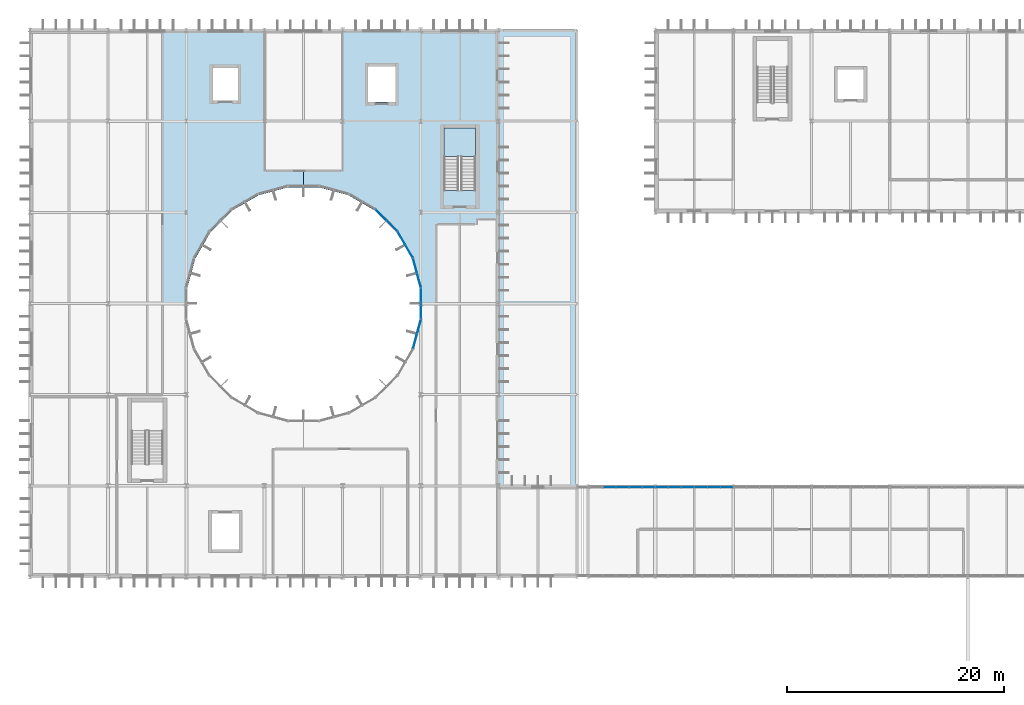
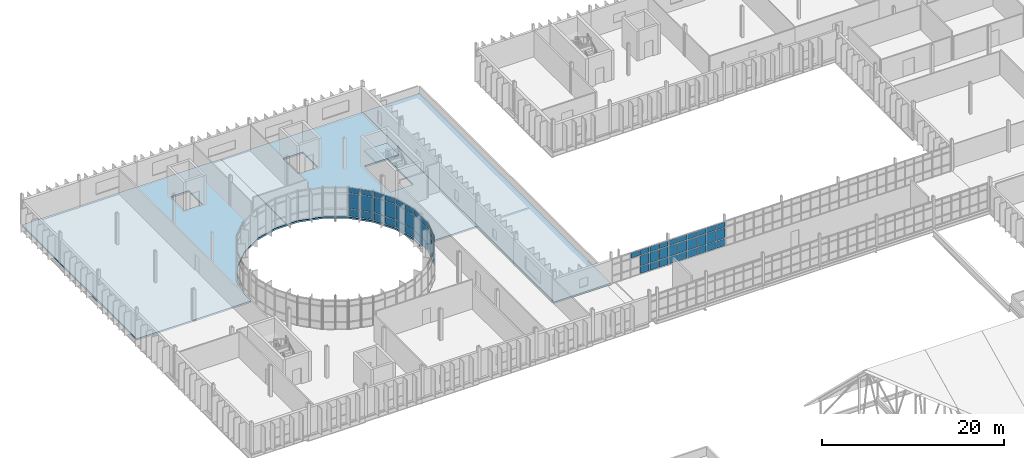
# One storey, part 62 of 99: 58 plates, 4 slabs, 8 elements without a shape of their own.
"""IFC4 building model written with IfcOpenShell, lengths in metres."""

from ifc_helpers import new_model, si_unit, direction, frame, origin, origin_2d, place, context, subcontext, project, spatial, polyline, rectangle, outline, extrude, material, layer, layer_set, type_object, element, aggregate, save


model = new_model("IFC4")

# Units and contexts
model_context = context("Model", 3, precision=1e-05, world=origin(), true_north=direction((0.0, 1.0)))
body_context = subcontext(model_context, "Body", "Model", "MODEL_VIEW")
ifc_project = project(units=[si_unit("LENGTHUNIT", "METRE"), si_unit("AREAUNIT", "SQUARE_METRE"), si_unit("VOLUMEUNIT", "CUBIC_METRE"), si_unit("PLANEANGLEUNIT", "RADIAN"), si_unit("MASSUNIT", "GRAM", prefix="KILO")], contexts=[model_context])

# Site, building, storey
site_placement = place(None, origin())
site = spatial("IfcSite", under=ifc_project, at=site_placement, CompositionType="ELEMENT")
building_placement = place(site_placement, origin())
building = spatial("IfcBuilding", under=site, at=building_placement, Name="Qelthora Terrace Specialist Clinic", CompositionType="ELEMENT")
storey_placement = place(building_placement, frame((0.0, 0.0, 9.0)))
storey = spatial("IfcBuildingStorey", under=building, at=storey_placement, Name="L02", CompositionType="ELEMENT", Elevation=9.0)

# Curtain wall, plates
ifc_material_1 = material(Name="Aluminium anodized bronze", Category="aluminium")
curtain_wall_type_1 = type_object("IfcCurtainWallType", Name="CW-CRTW-UPP", PredefinedType="NOTDEFINED", material=ifc_material_1)
curtain_wall_1_placement = place(storey_placement, origin())
curtain_wall_1 = element("IfcCurtainWall", 1, at=curtain_wall_1_placement, inside=storey, type_object=curtain_wall_type_1, Name="Curtain wall CW-CW-L02-01", PredefinedType="NOTDEFINED")
ifc_material_2 = material(Name="Low-E triple-silver insulating glass", Category="glass")
ifc_layer_1 = layer(ifc_material_2, 0.035888671875)
ifc_layer_set_1 = layer_set([ifc_layer_1], Name="Low-E triple-silver insulating glass")
plate_type = type_object("IfcPlateType", Name="CWP-IGU-36", PredefinedType="CURTAIN_PANEL", material=ifc_layer_set_1)
plate_1_placement = place(storey_placement, frame((35.841064453125, 86.12158203125, 0.0849609375), z_axis=(0.0, 0.0, 1.0), x_axis=(-0.258820730961, 0.965925374563, 0.0)))
plate_1 = element("IfcPlate", 2, at=plate_1_placement, type_object=plate_type, Name="CW-CW-L02-01 glazed panel 1", PredefinedType="CURTAIN_PANEL", context=body_context, shape_type="SweptSolid", body=[
    extrude(rectangle(XDim=1.3095703125, YDim=0.035888671875, at=origin_2d()), origin(), (0.0, 0.0, 1.0), 0.919921875),
])
plate_2_placement = place(storey_placement, frame((35.841064453125, 86.12158203125, 1.094970703125), z_axis=(0.0, 0.0, 1.0), x_axis=(-0.258820730961, 0.965925374563, 0.0)))
plate_2 = element("IfcPlate", 3, at=plate_2_placement, type_object=plate_type, Name="CW-CW-L02-01 glazed panel 2", PredefinedType="CURTAIN_PANEL", context=body_context, shape_type="SweptSolid", body=[
    extrude(rectangle(XDim=1.3095703125, YDim=0.035888671875, at=origin_2d()), origin(), (0.0, 0.0, 1.0), 2.0048828125),
])
plate_3_placement = place(storey_placement, frame((35.841064453125, 86.12158203125, 3.18994140625), z_axis=(0.0, 0.0, 1.0), x_axis=(-0.258820730961, 0.965925374563, 0.0)))
plate_3 = element("IfcPlate", 4, at=plate_3_placement, type_object=plate_type, Name="CW-CW-L02-01 glazed panel 3", PredefinedType="CURTAIN_PANEL", context=body_context, shape_type="SweptSolid", body=[
    extrude(rectangle(XDim=1.3095703125, YDim=0.035888671875, at=origin_2d()), origin(), (0.0, 0.0, 1.0), 0.669921875),
])
plate_4_placement = place(storey_placement, frame((35.476318359375, 87.483154296875, 0.0849609375), z_axis=(0.0, 0.0, 1.0), x_axis=(-0.258820730961, 0.965925374563, 0.0)))
plate_4 = element("IfcPlate", 5, at=plate_4_placement, type_object=plate_type, Name="CW-CW-L02-01 glazed panel 4", PredefinedType="CURTAIN_PANEL", context=body_context, shape_type="SweptSolid", body=[
    extrude(rectangle(XDim=1.3095703125, YDim=0.035888671875, at=origin_2d()), origin(), (0.0, 0.0, 1.0), 0.919921875),
])
plate_5_placement = place(storey_placement, frame((35.476318359375, 87.483154296875, 1.094970703125), z_axis=(0.0, 0.0, 1.0), x_axis=(-0.258820730961, 0.965925374563, 0.0)))
plate_5 = element("IfcPlate", 6, at=plate_5_placement, type_object=plate_type, Name="CW-CW-L02-01 glazed panel 5", PredefinedType="CURTAIN_PANEL", context=body_context, shape_type="SweptSolid", body=[
    extrude(rectangle(XDim=1.3095703125, YDim=0.035888671875, at=origin_2d()), origin(), (0.0, 0.0, 1.0), 2.0048828125),
])
plate_6_placement = place(storey_placement, frame((35.476318359375, 87.483154296875, 3.18994140625), z_axis=(0.0, 0.0, 1.0), x_axis=(-0.258820730961, 0.965925374563, 0.0)))
plate_6 = element("IfcPlate", 7, at=plate_6_placement, type_object=plate_type, Name="CW-CW-L02-01 glazed panel 6", PredefinedType="CURTAIN_PANEL", context=body_context, shape_type="SweptSolid", body=[
    extrude(rectangle(XDim=1.3095703125, YDim=0.035888671875, at=origin_2d()), origin(), (0.0, 0.0, 1.0), 0.669921875),
])
aggregate(curtain_wall_1, [plate_1, plate_2, plate_3, plate_4, plate_5, plate_6])

curtain_wall_2_placement = place(storey_placement, origin())
curtain_wall_2 = element("IfcCurtainWall", 8, at=curtain_wall_2_placement, inside=storey, type_object=curtain_wall_type_1, Name="Curtain wall CW-CW-L02-02", PredefinedType="NOTDEFINED")
plate_7_placement = place(storey_placement, frame((34.929443359375, 88.803466796875, 0.0849609375), z_axis=(0.0, 0.0, 1.0), x_axis=(-0.5, 0.866025403784, 0.0)))
plate_7 = element("IfcPlate", 9, at=plate_7_placement, type_object=plate_type, Name="CW-CW-L02-02 glazed panel 1", PredefinedType="CURTAIN_PANEL", context=body_context, shape_type="SweptSolid", body=[
    extrude(rectangle(XDim=1.3095703125, YDim=0.035888671875, at=origin_2d()), origin(), (0.0, 0.0, 1.0), 0.919921875),
])
plate_8_placement = place(storey_placement, frame((34.929443359375, 88.803466796875, 1.094970703125), z_axis=(0.0, 0.0, 1.0), x_axis=(-0.5, 0.866025403784, 0.0)))
plate_8 = element("IfcPlate", 10, at=plate_8_placement, type_object=plate_type, Name="CW-CW-L02-02 glazed panel 2", PredefinedType="CURTAIN_PANEL", context=body_context, shape_type="SweptSolid", body=[
    extrude(rectangle(XDim=1.3095703125, YDim=0.035888671875, at=origin_2d()), origin(), (0.0, 0.0, 1.0), 2.0048828125),
])
plate_9_placement = place(storey_placement, frame((34.929443359375, 88.803466796875, 3.18994140625), z_axis=(0.0, 0.0, 1.0), x_axis=(-0.5, 0.866025403784, 0.0)))
plate_9 = element("IfcPlate", 11, at=plate_9_placement, type_object=plate_type, Name="CW-CW-L02-02 glazed panel 3", PredefinedType="CURTAIN_PANEL", context=body_context, shape_type="SweptSolid", body=[
    extrude(rectangle(XDim=1.3095703125, YDim=0.035888671875, at=origin_2d()), origin(), (0.0, 0.0, 1.0), 0.669921875),
])
plate_10_placement = place(storey_placement, frame((34.224609375, 90.024169921875, 0.0849609375), z_axis=(0.0, 0.0, 1.0), x_axis=(-0.5, 0.866025403784, 0.0)))
plate_10 = element("IfcPlate", 12, at=plate_10_placement, type_object=plate_type, Name="CW-CW-L02-02 glazed panel 4", PredefinedType="CURTAIN_PANEL", context=body_context, shape_type="SweptSolid", body=[
    extrude(rectangle(XDim=1.3095703125, YDim=0.035888671875, at=origin_2d()), origin(), (0.0, 0.0, 1.0), 0.919921875),
])
plate_11_placement = place(storey_placement, frame((34.224609375, 90.024169921875, 1.094970703125), z_axis=(0.0, 0.0, 1.0), x_axis=(-0.5, 0.866025403784, 0.0)))
plate_11 = element("IfcPlate", 13, at=plate_11_placement, type_object=plate_type, Name="CW-CW-L02-02 glazed panel 5", PredefinedType="CURTAIN_PANEL", context=body_context, shape_type="SweptSolid", body=[
    extrude(rectangle(XDim=1.3095703125, YDim=0.035888671875, at=origin_2d()), origin(), (0.0, 0.0, 1.0), 2.0048828125),
])
plate_12_placement = place(storey_placement, frame((34.224609375, 90.024169921875, 3.18994140625), z_axis=(0.0, 0.0, 1.0), x_axis=(-0.5, 0.866025403784, 0.0)))
plate_12 = element("IfcPlate", 14, at=plate_12_placement, type_object=plate_type, Name="CW-CW-L02-02 glazed panel 6", PredefinedType="CURTAIN_PANEL", context=body_context, shape_type="SweptSolid", body=[
    extrude(rectangle(XDim=1.3095703125, YDim=0.035888671875, at=origin_2d()), origin(), (0.0, 0.0, 1.0), 0.669921875),
])
aggregate(curtain_wall_2, [plate_7, plate_8, plate_9, plate_10, plate_11, plate_12])

curtain_wall_3_placement = place(storey_placement, origin())
curtain_wall_3 = element("IfcCurtainWall", 15, at=curtain_wall_3_placement, inside=storey, type_object=curtain_wall_type_1, Name="Curtain wall CW-CW-L02-03", PredefinedType="NOTDEFINED")
plate_13_placement = place(storey_placement, frame((33.354736328125, 91.157958984375, 0.0849609375), z_axis=(0.0, 0.0, 1.0), x_axis=(-0.707106781187, 0.707106781187, 0.0)))
plate_13 = element("IfcPlate", 16, at=plate_13_placement, type_object=plate_type, Name="CW-CW-L02-03 glazed panel 1", PredefinedType="CURTAIN_PANEL", context=body_context, shape_type="SweptSolid", body=[
    extrude(rectangle(XDim=1.3095703125, YDim=0.035888671875, at=origin_2d()), origin(), (0.0, 0.0, 1.0), 0.919921875),
])
plate_14_placement = place(storey_placement, frame((33.354736328125, 91.157958984375, 1.094970703125), z_axis=(0.0, 0.0, 1.0), x_axis=(-0.707106781187, 0.707106781187, 0.0)))
plate_14 = element("IfcPlate", 17, at=plate_14_placement, type_object=plate_type, Name="CW-CW-L02-03 glazed panel 2", PredefinedType="CURTAIN_PANEL", context=body_context, shape_type="SweptSolid", body=[
    extrude(rectangle(XDim=1.3095703125, YDim=0.035888671875, at=origin_2d()), origin(), (0.0, 0.0, 1.0), 2.0048828125),
])
plate_15_placement = place(storey_placement, frame((33.354736328125, 91.157958984375, 3.18994140625), z_axis=(0.0, 0.0, 1.0), x_axis=(-0.707106781187, 0.707106781187, 0.0)))
plate_15 = element("IfcPlate", 18, at=plate_15_placement, type_object=plate_type, Name="CW-CW-L02-03 glazed panel 3", PredefinedType="CURTAIN_PANEL", context=body_context, shape_type="SweptSolid", body=[
    extrude(rectangle(XDim=1.3095703125, YDim=0.035888671875, at=origin_2d()), origin(), (0.0, 0.0, 1.0), 0.669921875),
])
plate_16_placement = place(storey_placement, frame((32.35791015625, 92.15478515625, 0.0849609375), z_axis=(0.0, 0.0, 1.0), x_axis=(-0.707106781187, 0.707106781187, 0.0)))
plate_16 = element("IfcPlate", 19, at=plate_16_placement, type_object=plate_type, Name="CW-CW-L02-03 glazed panel 4", PredefinedType="CURTAIN_PANEL", context=body_context, shape_type="SweptSolid", body=[
    extrude(rectangle(XDim=1.3095703125, YDim=0.035888671875, at=origin_2d()), origin(), (0.0, 0.0, 1.0), 0.919921875),
])
plate_17_placement = place(storey_placement, frame((32.35791015625, 92.15478515625, 1.094970703125), z_axis=(0.0, 0.0, 1.0), x_axis=(-0.707106781187, 0.707106781187, 0.0)))
plate_17 = element("IfcPlate", 20, at=plate_17_placement, type_object=plate_type, Name="CW-CW-L02-03 glazed panel 5", PredefinedType="CURTAIN_PANEL", context=body_context, shape_type="SweptSolid", body=[
    extrude(rectangle(XDim=1.3095703125, YDim=0.035888671875, at=origin_2d()), origin(), (0.0, 0.0, 1.0), 2.0048828125),
])
plate_18_placement = place(storey_placement, frame((32.35791015625, 92.15478515625, 3.18994140625), z_axis=(0.0, 0.0, 1.0), x_axis=(-0.707106781187, 0.707106781187, 0.0)))
plate_18 = element("IfcPlate", 21, at=plate_18_placement, type_object=plate_type, Name="CW-CW-L02-03 glazed panel 6", PredefinedType="CURTAIN_PANEL", context=body_context, shape_type="SweptSolid", body=[
    extrude(rectangle(XDim=1.3095703125, YDim=0.035888671875, at=origin_2d()), origin(), (0.0, 0.0, 1.0), 0.669921875),
])
aggregate(curtain_wall_3, [plate_13, plate_14, plate_15, plate_16, plate_17, plate_18])

curtain_wall_4_placement = place(storey_placement, origin())
curtain_wall_4 = element("IfcCurtainWall", 22, at=curtain_wall_4_placement, inside=storey, type_object=curtain_wall_type_1, Name="Curtain wall CW-CW-L02-23", PredefinedType="NOTDEFINED")
plate_19_placement = place(storey_placement, frame((35.476318359375, 80.516845703125, 0.0849609375), z_axis=(0.0, 0.0, 1.0), x_axis=(0.258820730961, 0.965925374563, 0.0)))
plate_19 = element("IfcPlate", 23, at=plate_19_placement, type_object=plate_type, Name="CW-CW-L02-23 glazed panel 1", PredefinedType="CURTAIN_PANEL", context=body_context, shape_type="SweptSolid", body=[
    extrude(rectangle(XDim=1.3095703125, YDim=0.035888671875, at=origin_2d()), origin(), (0.0, 0.0, 1.0), 0.919921875),
])
plate_20_placement = place(storey_placement, frame((35.476318359375, 80.516845703125, 1.094970703125), z_axis=(0.0, 0.0, 1.0), x_axis=(0.258820730961, 0.965925374563, 0.0)))
plate_20 = element("IfcPlate", 24, at=plate_20_placement, type_object=plate_type, Name="CW-CW-L02-23 glazed panel 2", PredefinedType="CURTAIN_PANEL", context=body_context, shape_type="SweptSolid", body=[
    extrude(rectangle(XDim=1.3095703125, YDim=0.035888671875, at=origin_2d()), origin(), (0.0, 0.0, 1.0), 2.0048828125),
])
plate_21_placement = place(storey_placement, frame((35.476318359375, 80.516845703125, 3.18994140625), z_axis=(0.0, 0.0, 1.0), x_axis=(0.258820730961, 0.965925374563, 0.0)))
plate_21 = element("IfcPlate", 25, at=plate_21_placement, type_object=plate_type, Name="CW-CW-L02-23 glazed panel 3", PredefinedType="CURTAIN_PANEL", context=body_context, shape_type="SweptSolid", body=[
    extrude(rectangle(XDim=1.3095703125, YDim=0.035888671875, at=origin_2d()), origin(), (0.0, 0.0, 1.0), 0.669921875),
])
plate_22_placement = place(storey_placement, frame((35.841064453125, 81.87841796875, 0.0849609375), z_axis=(0.0, 0.0, 1.0), x_axis=(0.258820730961, 0.965925374563, 0.0)))
plate_22 = element("IfcPlate", 26, at=plate_22_placement, type_object=plate_type, Name="CW-CW-L02-23 glazed panel 4", PredefinedType="CURTAIN_PANEL", context=body_context, shape_type="SweptSolid", body=[
    extrude(rectangle(XDim=1.3095703125, YDim=0.035888671875, at=origin_2d()), origin(), (0.0, 0.0, 1.0), 0.919921875),
])
plate_23_placement = place(storey_placement, frame((35.841064453125, 81.87841796875, 1.094970703125), z_axis=(0.0, 0.0, 1.0), x_axis=(0.258820730961, 0.965925374563, 0.0)))
plate_23 = element("IfcPlate", 27, at=plate_23_placement, type_object=plate_type, Name="CW-CW-L02-23 glazed panel 5", PredefinedType="CURTAIN_PANEL", context=body_context, shape_type="SweptSolid", body=[
    extrude(rectangle(XDim=1.3095703125, YDim=0.035888671875, at=origin_2d()), origin(), (0.0, 0.0, 1.0), 2.0048828125),
])
plate_24_placement = place(storey_placement, frame((35.841064453125, 81.87841796875, 3.18994140625), z_axis=(0.0, 0.0, 1.0), x_axis=(0.258820730961, 0.965925374563, 0.0)))
plate_24 = element("IfcPlate", 28, at=plate_24_placement, type_object=plate_type, Name="CW-CW-L02-23 glazed panel 6", PredefinedType="CURTAIN_PANEL", context=body_context, shape_type="SweptSolid", body=[
    extrude(rectangle(XDim=1.3095703125, YDim=0.035888671875, at=origin_2d()), origin(), (0.0, 0.0, 1.0), 0.669921875),
])
aggregate(curtain_wall_4, [plate_19, plate_20, plate_21, plate_22, plate_23, plate_24])

curtain_wall_5_placement = place(storey_placement, origin())
curtain_wall_5 = element("IfcCurtainWall", 29, at=curtain_wall_5_placement, inside=storey, type_object=curtain_wall_type_1, Name="Curtain wall CW-CW-L02-24", PredefinedType="NOTDEFINED")
plate_25_placement = place(storey_placement, frame((36.027587890625, 83.295166015625, 0.0849609375), z_axis=(0.0, 0.0, 1.0), x_axis=(0.0, 1.0, 0.0)))
plate_25 = element("IfcPlate", 30, at=plate_25_placement, type_object=plate_type, Name="CW-CW-L02-24 glazed panel 1", PredefinedType="CURTAIN_PANEL", context=body_context, shape_type="SweptSolid", body=[
    extrude(rectangle(XDim=1.3095703125, YDim=0.035888671875, at=origin_2d()), origin(), (0.0, 0.0, 1.0), 0.919921875),
])
plate_26_placement = place(storey_placement, frame((36.027587890625, 83.295166015625, 1.094970703125), z_axis=(0.0, 0.0, 1.0), x_axis=(0.0, 1.0, 0.0)))
plate_26 = element("IfcPlate", 31, at=plate_26_placement, type_object=plate_type, Name="CW-CW-L02-24 glazed panel 2", PredefinedType="CURTAIN_PANEL", context=body_context, shape_type="SweptSolid", body=[
    extrude(rectangle(XDim=1.3095703125, YDim=0.035888671875, at=origin_2d()), origin(), (0.0, 0.0, 1.0), 2.0048828125),
])
plate_27_placement = place(storey_placement, frame((36.027587890625, 83.295166015625, 3.18994140625), z_axis=(0.0, 0.0, 1.0), x_axis=(0.0, 1.0, 0.0)))
plate_27 = element("IfcPlate", 32, at=plate_27_placement, type_object=plate_type, Name="CW-CW-L02-24 glazed panel 3", PredefinedType="CURTAIN_PANEL", context=body_context, shape_type="SweptSolid", body=[
    extrude(rectangle(XDim=1.3095703125, YDim=0.035888671875, at=origin_2d()), origin(), (0.0, 0.0, 1.0), 0.669921875),
])
plate_28_placement = place(storey_placement, frame((36.027587890625, 84.704833984375, 0.0849609375), z_axis=(0.0, 0.0, 1.0), x_axis=(0.0, 1.0, 0.0)))
plate_28 = element("IfcPlate", 33, at=plate_28_placement, type_object=plate_type, Name="CW-CW-L02-24 glazed panel 4", PredefinedType="CURTAIN_PANEL", context=body_context, shape_type="SweptSolid", body=[
    extrude(rectangle(XDim=1.3095703125, YDim=0.035888671875, at=origin_2d()), origin(), (0.0, 0.0, 1.0), 0.919921875),
])
plate_29_placement = place(storey_placement, frame((36.027587890625, 84.704833984375, 1.094970703125), z_axis=(0.0, 0.0, 1.0), x_axis=(0.0, 1.0, 0.0)))
plate_29 = element("IfcPlate", 34, at=plate_29_placement, type_object=plate_type, Name="CW-CW-L02-24 glazed panel 5", PredefinedType="CURTAIN_PANEL", context=body_context, shape_type="SweptSolid", body=[
    extrude(rectangle(XDim=1.3095703125, YDim=0.035888671875, at=origin_2d()), origin(), (0.0, 0.0, 1.0), 2.0048828125),
])
plate_30_placement = place(storey_placement, frame((36.027587890625, 84.704833984375, 3.18994140625), z_axis=(0.0, 0.0, 1.0), x_axis=(0.0, 1.0, 0.0)))
plate_30 = element("IfcPlate", 35, at=plate_30_placement, type_object=plate_type, Name="CW-CW-L02-24 glazed panel 6", PredefinedType="CURTAIN_PANEL", context=body_context, shape_type="SweptSolid", body=[
    extrude(rectangle(XDim=1.3095703125, YDim=0.035888671875, at=origin_2d()), origin(), (0.0, 0.0, 1.0), 0.669921875),
])
aggregate(curtain_wall_5, [plate_25, plate_26, plate_27, plate_28, plate_29, plate_30])

curtain_wall_type_2 = type_object("IfcCurtainWallType", Name="CW-BRG-L02", PredefinedType="NOTDEFINED", material=ifc_material_1)
curtain_wall_6_placement = place(storey_placement, origin())
curtain_wall_6 = element("IfcCurtainWall", 36, at=curtain_wall_6_placement, inside=storey, type_object=curtain_wall_type_2, Name="Curtain wall CW-L02-256", PredefinedType="NOTDEFINED")
plate_31_placement = place(storey_placement, frame((53.39990234375, 67.080078125, 2.570068359375), z_axis=(0.0, 0.0, 1.0), x_axis=(1.0, 0.0, 0.0)))
plate_31 = element("IfcPlate", 37, at=plate_31_placement, type_object=plate_type, Name="CW-L02-256 glazed panel 9", PredefinedType="CURTAIN_PANEL", context=body_context, shape_type="SweptSolid", body=[
    extrude(rectangle(XDim=1.10009765625, YDim=0.035888671875, at=origin_2d()), origin(), (0.0, 0.0, 1.0), 0.669921875),
])
plate_32_placement = place(storey_placement, frame((54.60009765625, 67.080078125, 0.0849609375), z_axis=(0.0, 0.0, 1.0), x_axis=(1.0, 0.0, 0.0)))
plate_32 = element("IfcPlate", 38, at=plate_32_placement, type_object=plate_type, Name="CW-L02-256 glazed panel 10", PredefinedType="CURTAIN_PANEL", context=body_context, shape_type="SweptSolid", body=[
    extrude(rectangle(XDim=1.10009765625, YDim=0.035888671875, at=origin_2d()), origin(), (0.0, 0.0, 1.0), 0.919921875),
])
plate_33_placement = place(storey_placement, frame((54.60009765625, 67.080078125, 1.09521484375), z_axis=(0.0, 0.0, 1.0), x_axis=(1.0, 0.0, 0.0)))
plate_33 = element("IfcPlate", 39, at=plate_33_placement, type_object=plate_type, Name="CW-L02-256 glazed panel 11", PredefinedType="CURTAIN_PANEL", context=body_context, shape_type="SweptSolid", body=[
    extrude(rectangle(XDim=1.10009765625, YDim=0.035888671875, at=origin_2d()), origin(), (0.0, 0.0, 1.0), 1.385009765625),
])
plate_34_placement = place(storey_placement, frame((54.60009765625, 67.080078125, 2.570068359375), z_axis=(0.0, 0.0, 1.0), x_axis=(1.0, 0.0, 0.0)))
plate_34 = element("IfcPlate", 40, at=plate_34_placement, type_object=plate_type, Name="CW-L02-256 glazed panel 12", PredefinedType="CURTAIN_PANEL", context=body_context, shape_type="SweptSolid", body=[
    extrude(rectangle(XDim=1.10009765625, YDim=0.035888671875, at=origin_2d()), origin(), (0.0, 0.0, 1.0), 0.669921875),
])
plate_35_placement = place(storey_placement, frame((55.800048828125, 67.080078125, 0.0849609375), z_axis=(0.0, 0.0, 1.0), x_axis=(1.0, 0.0, 0.0)))
plate_35 = element("IfcPlate", 41, at=plate_35_placement, type_object=plate_type, Name="CW-L02-256 glazed panel 13", PredefinedType="CURTAIN_PANEL", context=body_context, shape_type="SweptSolid", body=[
    extrude(rectangle(XDim=1.10009765625, YDim=0.035888671875, at=origin_2d()), origin(), (0.0, 0.0, 1.0), 0.919921875),
])
plate_36_placement = place(storey_placement, frame((55.800048828125, 67.080078125, 1.09521484375), z_axis=(0.0, 0.0, 1.0), x_axis=(1.0, 0.0, 0.0)))
plate_36 = element("IfcPlate", 42, at=plate_36_placement, type_object=plate_type, Name="CW-L02-256 glazed panel 14", PredefinedType="CURTAIN_PANEL", context=body_context, shape_type="SweptSolid", body=[
    extrude(rectangle(XDim=1.10009765625, YDim=0.035888671875, at=origin_2d()), origin(), (0.0, 0.0, 1.0), 1.385009765625),
])
plate_37_placement = place(storey_placement, frame((55.800048828125, 67.080078125, 2.570068359375), z_axis=(0.0, 0.0, 1.0), x_axis=(1.0, 0.0, 0.0)))
plate_37 = element("IfcPlate", 43, at=plate_37_placement, type_object=plate_type, Name="CW-L02-256 glazed panel 15", PredefinedType="CURTAIN_PANEL", context=body_context, shape_type="SweptSolid", body=[
    extrude(rectangle(XDim=1.10009765625, YDim=0.035888671875, at=origin_2d()), origin(), (0.0, 0.0, 1.0), 0.669921875),
])
plate_38_placement = place(storey_placement, frame((57.0, 67.080078125, 0.0849609375), z_axis=(0.0, 0.0, 1.0), x_axis=(1.0, 0.0, 0.0)))
plate_38 = element("IfcPlate", 44, at=plate_38_placement, type_object=plate_type, Name="CW-L02-256 glazed panel 16", PredefinedType="CURTAIN_PANEL", context=body_context, shape_type="SweptSolid", body=[
    extrude(rectangle(XDim=1.10009765625, YDim=0.035888671875, at=origin_2d()), origin(), (0.0, 0.0, 1.0), 0.919921875),
])
plate_39_placement = place(storey_placement, frame((57.0, 67.080078125, 1.09521484375), z_axis=(0.0, 0.0, 1.0), x_axis=(1.0, 0.0, 0.0)))
plate_39 = element("IfcPlate", 45, at=plate_39_placement, type_object=plate_type, Name="CW-L02-256 glazed panel 17", PredefinedType="CURTAIN_PANEL", context=body_context, shape_type="SweptSolid", body=[
    extrude(rectangle(XDim=1.10009765625, YDim=0.035888671875, at=origin_2d()), origin(), (0.0, 0.0, 1.0), 1.385009765625),
])
plate_40_placement = place(storey_placement, frame((57.0, 67.080078125, 2.570068359375), z_axis=(0.0, 0.0, 1.0), x_axis=(1.0, 0.0, 0.0)))
plate_40 = element("IfcPlate", 46, at=plate_40_placement, type_object=plate_type, Name="CW-L02-256 glazed panel 18", PredefinedType="CURTAIN_PANEL", context=body_context, shape_type="SweptSolid", body=[
    extrude(rectangle(XDim=1.10009765625, YDim=0.035888671875, at=origin_2d()), origin(), (0.0, 0.0, 1.0), 0.669921875),
])
aggregate(curtain_wall_6, [plate_31, plate_32, plate_33, plate_34, plate_35, plate_36, plate_37, plate_38, plate_39, plate_40])

curtain_wall_7_placement = place(storey_placement, origin())
curtain_wall_7 = element("IfcCurtainWall", 47, at=curtain_wall_7_placement, inside=storey, type_object=curtain_wall_type_2, Name="Curtain wall CW-L02-257", PredefinedType="NOTDEFINED")
plate_41_placement = place(storey_placement, frame((58.199951171875, 67.080078125, 0.0849609375), z_axis=(0.0, 0.0, 1.0), x_axis=(1.0, 0.0, 0.0)))
plate_41 = element("IfcPlate", 48, at=plate_41_placement, type_object=plate_type, Name="CW-L02-257 glazed panel 1", PredefinedType="CURTAIN_PANEL", context=body_context, shape_type="SweptSolid", body=[
    extrude(rectangle(XDim=1.10009765625, YDim=0.035888671875, at=origin_2d()), origin(), (0.0, 0.0, 1.0), 0.919921875),
])
plate_42_placement = place(storey_placement, frame((58.199951171875, 67.080078125, 1.09521484375), z_axis=(0.0, 0.0, 1.0), x_axis=(1.0, 0.0, 0.0)))
plate_42 = element("IfcPlate", 49, at=plate_42_placement, type_object=plate_type, Name="CW-L02-257 glazed panel 2", PredefinedType="CURTAIN_PANEL", context=body_context, shape_type="SweptSolid", body=[
    extrude(rectangle(XDim=1.10009765625, YDim=0.035888671875, at=origin_2d()), origin(), (0.0, 0.0, 1.0), 1.389892578125),
])
plate_43_placement = place(storey_placement, frame((58.199951171875, 67.080078125, 2.574951171875), z_axis=(0.0, 0.0, 1.0), x_axis=(1.0, 0.0, 0.0)))
plate_43 = element("IfcPlate", 50, at=plate_43_placement, type_object=plate_type, Name="CW-L02-257 glazed panel 3", PredefinedType="CURTAIN_PANEL", context=body_context, shape_type="SweptSolid", body=[
    extrude(rectangle(XDim=1.10009765625, YDim=0.035888671875, at=origin_2d()), origin(), (0.0, 0.0, 1.0), 0.669921875),
])
plate_44_placement = place(storey_placement, frame((59.39990234375, 67.080078125, 0.0849609375), z_axis=(0.0, 0.0, 1.0), x_axis=(1.0, 0.0, 0.0)))
plate_44 = element("IfcPlate", 51, at=plate_44_placement, type_object=plate_type, Name="CW-L02-257 glazed panel 4", PredefinedType="CURTAIN_PANEL", context=body_context, shape_type="SweptSolid", body=[
    extrude(rectangle(XDim=1.10009765625, YDim=0.035888671875, at=origin_2d()), origin(), (0.0, 0.0, 1.0), 0.919921875),
])
plate_45_placement = place(storey_placement, frame((59.39990234375, 67.080078125, 1.09521484375), z_axis=(0.0, 0.0, 1.0), x_axis=(1.0, 0.0, 0.0)))
plate_45 = element("IfcPlate", 52, at=plate_45_placement, type_object=plate_type, Name="CW-L02-257 glazed panel 5", PredefinedType="CURTAIN_PANEL", context=body_context, shape_type="SweptSolid", body=[
    extrude(rectangle(XDim=1.10009765625, YDim=0.035888671875, at=origin_2d()), origin(), (0.0, 0.0, 1.0), 1.389892578125),
])
plate_46_placement = place(storey_placement, frame((59.39990234375, 67.080078125, 2.574951171875), z_axis=(0.0, 0.0, 1.0), x_axis=(1.0, 0.0, 0.0)))
plate_46 = element("IfcPlate", 53, at=plate_46_placement, type_object=plate_type, Name="CW-L02-257 glazed panel 6", PredefinedType="CURTAIN_PANEL", context=body_context, shape_type="SweptSolid", body=[
    extrude(rectangle(XDim=1.10009765625, YDim=0.035888671875, at=origin_2d()), origin(), (0.0, 0.0, 1.0), 0.669921875),
])
plate_47_placement = place(storey_placement, frame((60.60009765625, 67.080078125, 0.0849609375), z_axis=(0.0, 0.0, 1.0), x_axis=(1.0, 0.0, 0.0)))
plate_47 = element("IfcPlate", 54, at=plate_47_placement, type_object=plate_type, Name="CW-L02-257 glazed panel 7", PredefinedType="CURTAIN_PANEL", context=body_context, shape_type="SweptSolid", body=[
    extrude(rectangle(XDim=1.10009765625, YDim=0.035888671875, at=origin_2d()), origin(), (0.0, 0.0, 1.0), 0.919921875),
])
plate_48_placement = place(storey_placement, frame((60.60009765625, 67.080078125, 1.09521484375), z_axis=(0.0, 0.0, 1.0), x_axis=(1.0, 0.0, 0.0)))
plate_48 = element("IfcPlate", 55, at=plate_48_placement, type_object=plate_type, Name="CW-L02-257 glazed panel 8", PredefinedType="CURTAIN_PANEL", context=body_context, shape_type="SweptSolid", body=[
    extrude(rectangle(XDim=1.10009765625, YDim=0.035888671875, at=origin_2d()), origin(), (0.0, 0.0, 1.0), 1.389892578125),
])
plate_49_placement = place(storey_placement, frame((60.60009765625, 67.080078125, 2.574951171875), z_axis=(0.0, 0.0, 1.0), x_axis=(1.0, 0.0, 0.0)))
plate_49 = element("IfcPlate", 56, at=plate_49_placement, type_object=plate_type, Name="CW-L02-257 glazed panel 9", PredefinedType="CURTAIN_PANEL", context=body_context, shape_type="SweptSolid", body=[
    extrude(rectangle(XDim=1.10009765625, YDim=0.035888671875, at=origin_2d()), origin(), (0.0, 0.0, 1.0), 0.669921875),
])
plate_50_placement = place(storey_placement, frame((61.800048828125, 67.080078125, 0.0849609375), z_axis=(0.0, 0.0, 1.0), x_axis=(1.0, 0.0, 0.0)))
plate_50 = element("IfcPlate", 57, at=plate_50_placement, type_object=plate_type, Name="CW-L02-257 glazed panel 10", PredefinedType="CURTAIN_PANEL", context=body_context, shape_type="SweptSolid", body=[
    extrude(rectangle(XDim=1.10009765625, YDim=0.035888671875, at=origin_2d()), origin(), (0.0, 0.0, 1.0), 0.919921875),
])
plate_51_placement = place(storey_placement, frame((61.800048828125, 67.080078125, 1.09521484375), z_axis=(0.0, 0.0, 1.0), x_axis=(1.0, 0.0, 0.0)))
plate_51 = element("IfcPlate", 58, at=plate_51_placement, type_object=plate_type, Name="CW-L02-257 glazed panel 11", PredefinedType="CURTAIN_PANEL", context=body_context, shape_type="SweptSolid", body=[
    extrude(rectangle(XDim=1.10009765625, YDim=0.035888671875, at=origin_2d()), origin(), (0.0, 0.0, 1.0), 1.389892578125),
])
plate_52_placement = place(storey_placement, frame((61.800048828125, 67.080078125, 2.574951171875), z_axis=(0.0, 0.0, 1.0), x_axis=(1.0, 0.0, 0.0)))
plate_52 = element("IfcPlate", 59, at=plate_52_placement, type_object=plate_type, Name="CW-L02-257 glazed panel 12", PredefinedType="CURTAIN_PANEL", context=body_context, shape_type="SweptSolid", body=[
    extrude(rectangle(XDim=1.10009765625, YDim=0.035888671875, at=origin_2d()), origin(), (0.0, 0.0, 1.0), 0.669921875),
])
plate_53_placement = place(storey_placement, frame((63.0, 67.080078125, 0.0849609375), z_axis=(0.0, 0.0, 1.0), x_axis=(1.0, 0.0, 0.0)))
plate_53 = element("IfcPlate", 60, at=plate_53_placement, type_object=plate_type, Name="CW-L02-257 glazed panel 13", PredefinedType="CURTAIN_PANEL", context=body_context, shape_type="SweptSolid", body=[
    extrude(rectangle(XDim=1.10009765625, YDim=0.035888671875, at=origin_2d()), origin(), (0.0, 0.0, 1.0), 0.919921875),
])
plate_54_placement = place(storey_placement, frame((63.0, 67.080078125, 1.09521484375), z_axis=(0.0, 0.0, 1.0), x_axis=(1.0, 0.0, 0.0)))
plate_54 = element("IfcPlate", 61, at=plate_54_placement, type_object=plate_type, Name="CW-L02-257 glazed panel 14", PredefinedType="CURTAIN_PANEL", context=body_context, shape_type="SweptSolid", body=[
    extrude(rectangle(XDim=1.10009765625, YDim=0.035888671875, at=origin_2d()), origin(), (0.0, 0.0, 1.0), 1.389892578125),
])
plate_55_placement = place(storey_placement, frame((63.0, 67.080078125, 2.574951171875), z_axis=(0.0, 0.0, 1.0), x_axis=(1.0, 0.0, 0.0)))
plate_55 = element("IfcPlate", 62, at=plate_55_placement, type_object=plate_type, Name="CW-L02-257 glazed panel 15", PredefinedType="CURTAIN_PANEL", context=body_context, shape_type="SweptSolid", body=[
    extrude(rectangle(XDim=1.10009765625, YDim=0.035888671875, at=origin_2d()), origin(), (0.0, 0.0, 1.0), 0.669921875),
])
plate_56_placement = place(storey_placement, frame((64.199951171875, 67.080078125, 0.0849609375), z_axis=(0.0, 0.0, 1.0), x_axis=(1.0, 0.0, 0.0)))
plate_56 = element("IfcPlate", 63, at=plate_56_placement, type_object=plate_type, Name="CW-L02-257 glazed panel 16", PredefinedType="CURTAIN_PANEL", context=body_context, shape_type="SweptSolid", body=[
    extrude(rectangle(XDim=1.10009765625, YDim=0.035888671875, at=origin_2d()), origin(), (0.0, 0.0, 1.0), 0.919921875),
])
plate_57_placement = place(storey_placement, frame((64.199951171875, 67.080078125, 1.09521484375), z_axis=(0.0, 0.0, 1.0), x_axis=(1.0, 0.0, 0.0)))
plate_57 = element("IfcPlate", 64, at=plate_57_placement, type_object=plate_type, Name="CW-L02-257 glazed panel 17", PredefinedType="CURTAIN_PANEL", context=body_context, shape_type="SweptSolid", body=[
    extrude(rectangle(XDim=1.10009765625, YDim=0.035888671875, at=origin_2d()), origin(), (0.0, 0.0, 1.0), 1.389892578125),
])
plate_58_placement = place(storey_placement, frame((64.199951171875, 67.080078125, 2.574951171875), z_axis=(0.0, 0.0, 1.0), x_axis=(1.0, 0.0, 0.0)))
plate_58 = element("IfcPlate", 65, at=plate_58_placement, type_object=plate_type, Name="CW-L02-257 glazed panel 18", PredefinedType="CURTAIN_PANEL", context=body_context, shape_type="SweptSolid", body=[
    extrude(rectangle(XDim=1.10009765625, YDim=0.035888671875, at=origin_2d()), origin(), (0.0, 0.0, 1.0), 0.669921875),
])
aggregate(curtain_wall_7, [plate_41, plate_42, plate_43, plate_44, plate_45, plate_46, plate_47, plate_48, plate_49, plate_50, plate_51, plate_52, plate_53, plate_54, plate_55, plate_56, plate_57, plate_58])

# Slabs
ifc_material_3 = material(Name="Concrete C30/37", Category="concrete")
ifc_layer_2 = layer(ifc_material_3, 0.219970703125)
ifc_layer_set_2 = layer_set([ifc_layer_2], Name="Concrete C30/37")
slab_type_1 = type_object("IfcSlabType", Name="SLB-FLR-220-C30", PredefinedType="FLOOR", material=ifc_layer_set_2)
slab_1_placement = place(storey_placement, frame((0.0, 0.0, -0.219970703125)))
element("IfcSlab", 66, at=slab_1_placement, inside=storey, type_object=slab_type_1, Name="L02 V5 slab SLB-L02-V5-3A", PredefinedType="FLOOR", context=body_context, shape_type="SweptSolid", body=[
    extrude(outline(polyline([(0.0, 109.199951171875), (25.199951171875, 109.199951171875), (25.199951171875, 94.70751953125), (23.790283203125, 94.70751953125), (21.067138671875, 93.977783203125), (18.62548828125, 92.568115234375), (16.6318359375, 90.57470703125), (15.22216796875, 88.133056640625), (14.492431640625, 85.40966796875), (14.492431640625, 84.0), (0.0, 84.0), (0.0, 109.199951171875)]), holes=[polyline([(19.14990234375, 105.699951171875), (16.85009765625, 105.699951171875), (16.85009765625, 102.699951171875), (19.14990234375, 102.699951171875), (19.14990234375, 105.699951171875)])]), origin(), (0.0, 0.0, 1.0), 0.219970703125),
])
slab_2_placement = place(storey_placement, frame((0.0, 0.0, -0.219970703125)))
element("IfcSlab", 67, at=slab_2_placement, inside=storey, type_object=slab_type_1, Name="L02 V5 slab SLB-L02-V5-4A", PredefinedType="FLOOR", context=body_context, shape_type="SweptSolid", body=[
    extrude(outline(polyline([(43.199951171875, 109.199951171875), (43.199951171875, 84.0), (35.90771484375, 84.0), (35.90771484375, 85.40966796875), (35.177978515625, 88.133056640625), (33.768310546875, 90.57470703125), (31.774658203125, 92.568115234375), (29.3330078125, 93.977783203125), (26.609619140625, 94.70751953125), (25.199951171875, 94.70751953125), (25.199951171875, 109.199951171875), (43.199951171875, 109.199951171875)]), holes=[polyline([(41.050048828125, 94.400634765625), (41.050048828125, 100.14990234375), (38.14990234375, 100.14990234375), (38.14990234375, 94.400634765625), (41.050048828125, 94.400634765625)]), polyline([(33.64990234375, 102.550048828125), (33.64990234375, 105.85009765625), (31.14990234375, 105.85009765625), (31.14990234375, 102.550048828125), (33.64990234375, 102.550048828125)])]), origin(), (0.0, 0.0, 1.0), 0.219970703125),
])

# Stair, slab
stair_type = type_object("IfcStairType", Name="STR-175-285", PredefinedType="HALF_TURN_STAIR", material=ifc_material_3)
stair_placement = place(storey_placement, origin())
stair = element("IfcStair", 68, at=stair_placement, inside=storey, type_object=stair_type, Name="L02 Enclosed Exit Stair ST-02", PredefinedType="HALF_TURN_STAIR")
ifc_layer_3 = layer(ifc_material_3, 0.199951171875)
ifc_layer_set_3 = layer_set([ifc_layer_3], Name="Concrete C30/37")
slab_type_2 = type_object("IfcSlabType", Name="SLB-LAND-200-C30", PredefinedType="LANDING", material=ifc_layer_set_3)
slab_3_placement = place(storey_placement, frame((0.0, 0.0, 1.89990234375)))
slab_3 = element("IfcSlab", 69, at=slab_3_placement, type_object=slab_type_2, Name="ST-02 landing 1", PredefinedType="LANDING", context=body_context, shape_type="SweptSolid", body=[
    extrude(outline(polyline([(41.050048828125, 97.534912109375), (41.050048828125, 100.14990234375), (38.14990234375, 100.14990234375), (38.14990234375, 97.534912109375), (41.050048828125, 97.534912109375)])), origin(), (0.0, 0.0, 1.0), 0.2001953125),
])
aggregate(stair, [slab_3])

# Slab
ifc_layer_4 = layer(ifc_material_3, 0.22509765625)
ifc_layer_set_4 = layer_set([ifc_layer_4], Name="Concrete C30/37")
slab_type_3 = type_object("IfcSlabType", Name="SLB-ROOF-170-ZINC", PredefinedType="ROOF", material=ifc_layer_set_4)
slab_4_placement = place(storey_placement, frame((0.0, 0.0, -0.22509765625)))
element("IfcSlab", 70, at=slab_4_placement, inside=storey, type_object=slab_type_3, Name="Stepped wing roof slab ROOF-V5-STP2-1", PredefinedType="ROOF", context=body_context, shape_type="SweptSolid", body=[
    extrude(outline(polyline([(50.39990234375, 109.199951171875), (50.39990234375, 67.199951171875), (43.199951171875, 67.199951171875), (43.199951171875, 109.199951171875), (50.39990234375, 109.199951171875)])), origin(), (0.0, 0.0, 1.0), 0.22509765625),
])

save(model, "model.ifc")
